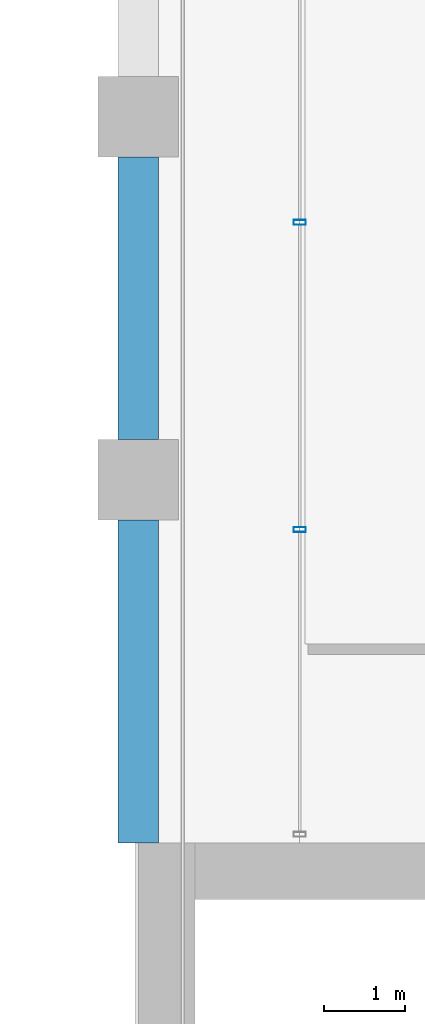
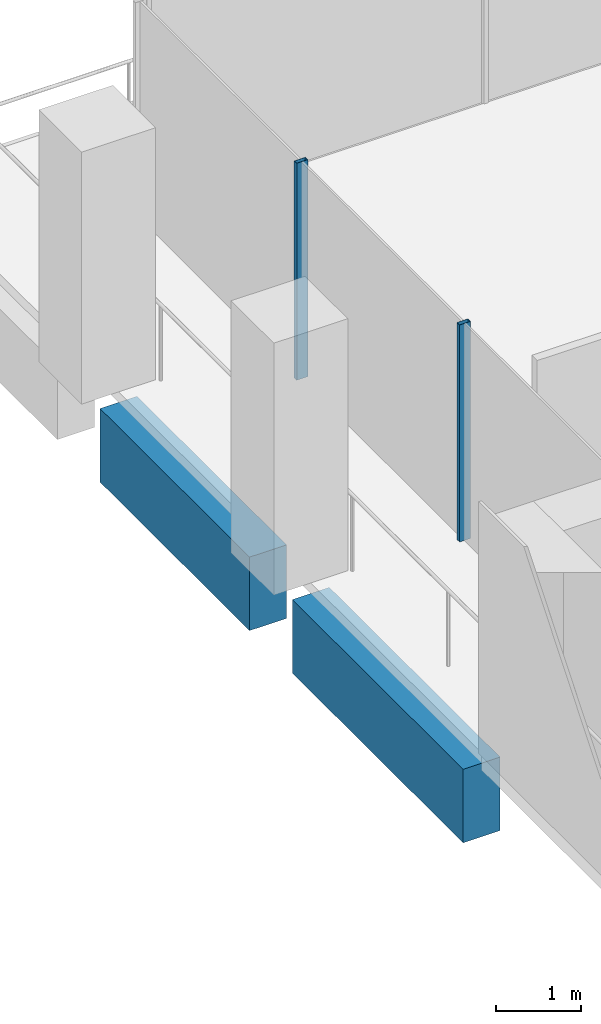
# One storey, part 20 of 47: 2 beams, 2 members, 1 element without a shape of its own.
"""IFC4 building model written with IfcOpenShell, lengths in metres."""

from ifc_helpers import new_model, si_unit, direction, frame, origin, origin_2d, place, context, subcontext, project, spatial, rectangle, hollow_rectangle, extrude, material, material_profile, profile_set, type_object, element, aggregate, save


model = new_model("IFC4")

# Units and contexts
model_context = context("Model", 3, precision=1e-05, world=origin(), true_north=direction((0.0, 1.0)))
body_context = subcontext(model_context, "Body", "Model", "MODEL_VIEW")
ifc_project = project(units=[si_unit("LENGTHUNIT", "METRE"), si_unit("AREAUNIT", "SQUARE_METRE"), si_unit("VOLUMEUNIT", "CUBIC_METRE"), si_unit("PLANEANGLEUNIT", "RADIAN"), si_unit("MASSUNIT", "GRAM", prefix="KILO")], contexts=[model_context])

# Site, building, storey
site_placement = place(None, origin())
site = spatial("IfcSite", under=ifc_project, at=site_placement, CompositionType="ELEMENT")
building_placement = place(site_placement, origin())
building = spatial("IfcBuilding", under=site, at=building_placement, Name="Altepetl Exchange Towers", CompositionType="ELEMENT")
storey_placement = place(building_placement, frame((0.0, 0.0, 99.199951171875)))
storey = spatial("IfcBuildingStorey", under=building, at=storey_placement, Name="L24", CompositionType="ELEMENT", Elevation=99.199951171875)

# Curtain wall, members
ifc_material_1 = material(Name="Aluminium 6063-T6 glazing", Category="aluminium")
curtain_wall_type = type_object("IfcCurtainWallType", Name="Loggia glazing system", PredefinedType="NOTDEFINED", material=ifc_material_1)
curtain_wall_placement = place(storey_placement, origin())
curtain_wall = element("IfcCurtainWall", 1, at=curtain_wall_placement, inside=storey, type_object=curtain_wall_type, Name="CW1 run", PredefinedType="NOTDEFINED")
ifc_material_2 = material(Name="Aluminium 6063-T6", Category="aluminium")
ifc_material_profile_1 = material_profile(ifc_material_2, hollow_rectangle(XDim=0.06005859375, YDim=0.14990234375, WallThickness=0.0029296875, at=origin_2d()), Name="Mullion 60x150 aluminium")
ifc_profile_set_1 = profile_set([ifc_material_profile_1], Name="Aluminium 6063-T6")
member_type = type_object("IfcMemberType", Name="Mullion 60x150 aluminium", PredefinedType="MULLION", material=ifc_profile_set_1)
member_1_placement = place(storey_placement, frame((42.5, 66.191650390625, 0.0), z_axis=(0.0, 0.0, 1.0), x_axis=(0.0, -1.0, 0.0)))
member_1 = element("IfcMember", 2, at=member_1_placement, type_object=member_type, Name="MU1 mullion", PredefinedType="MULLION", context=body_context, shape_type="SweptSolid", body=[
    extrude(hollow_rectangle(XDim=0.06005859375, YDim=0.14990234375, WallThickness=0.0029296875, at=origin_2d()), origin(), (0.0, 0.0, 1.0), 3.10009765625),
])
member_2_placement = place(storey_placement, frame((42.5, 62.38330078125, 0.0), z_axis=(0.0, 0.0, 1.0), x_axis=(0.0, -1.0, 0.0)))
member_2 = element("IfcMember", 3, at=member_2_placement, type_object=member_type, Name="MU1 mullion", PredefinedType="MULLION", context=body_context, shape_type="SweptSolid", body=[
    extrude(hollow_rectangle(XDim=0.06005859375, YDim=0.14990234375, WallThickness=0.0029296875, at=origin_2d()), origin(), (0.0, 0.0, 1.0), 3.10009765625),
])
aggregate(curtain_wall, [member_1, member_2])

# Beams
ifc_material_3 = material(Name="Concrete C50/60 precast with tezontle facing", Category="concrete")
ifc_material_profile_2 = material_profile(ifc_material_3, rectangle(XDim=0.5, YDim=1.050048828125, at=origin_2d()), Name="500 x 1050")
ifc_profile_set_2 = profile_set([ifc_material_profile_2], Name="Concrete C50/60 precast with tezontle facing")
beam_type = type_object("IfcBeamType", Name="Spandrel beam 500x1050 tezontle", PredefinedType="SPANDREL", material=ifc_profile_set_2)
beam_1_placement = place(storey_placement, frame((40.5, 67.0, -0.675048828125), z_axis=(0.0, -1.0, 0.0), x_axis=(1.0, 0.0, 0.0)))
element("IfcBeam", 4, at=beam_1_placement, inside=storey, type_object=beam_type, Name="sp:A:L24:031", PredefinedType="SPANDREL", context=body_context, shape_type="SweptSolid", body=[
    extrude(rectangle(XDim=0.5, YDim=1.050048828125, at=origin_2d()), origin(), (0.0, 0.0, 1.0), 3.5),
])
beam_2_placement = place(storey_placement, frame((40.5, 62.5, -0.675048828125), z_axis=(0.0, -1.0, 0.0), x_axis=(1.0, 0.0, 0.0)))
element("IfcBeam", 5, at=beam_2_placement, inside=storey, type_object=beam_type, Name="sp:A:L24:032", PredefinedType="SPANDREL", context=body_context, shape_type="SweptSolid", body=[
    extrude(rectangle(XDim=0.5, YDim=1.050048828125, at=origin_2d()), origin(), (0.0, 0.0, 1.0), 4.0),
])

save(model, "model.ifc")
